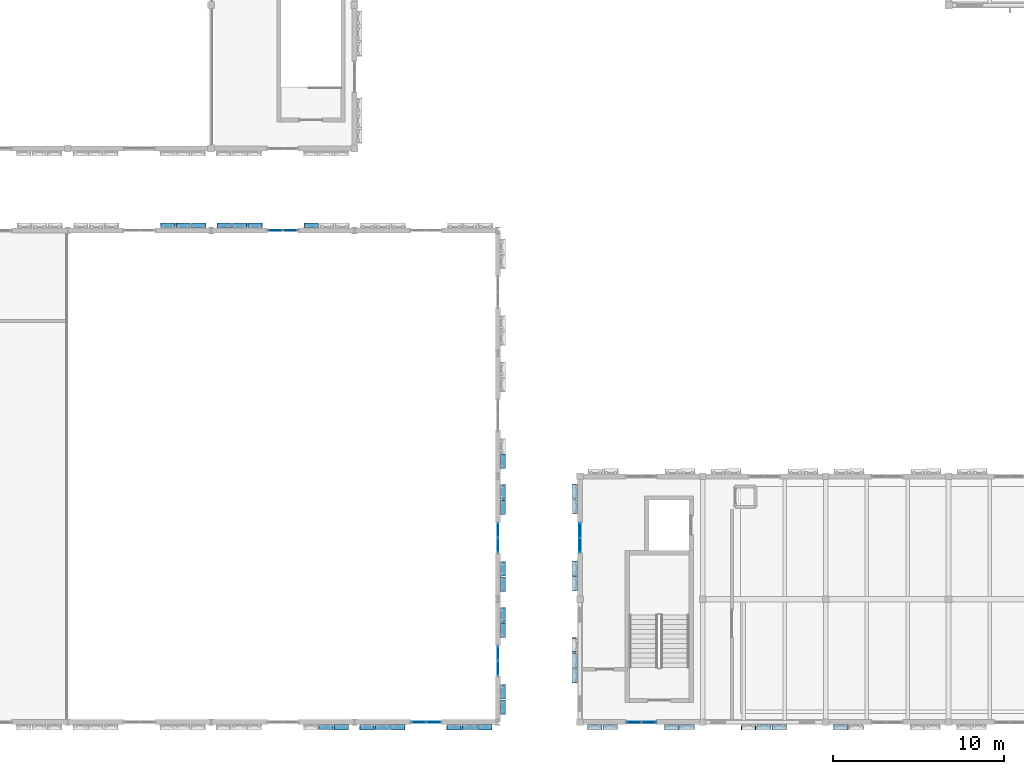
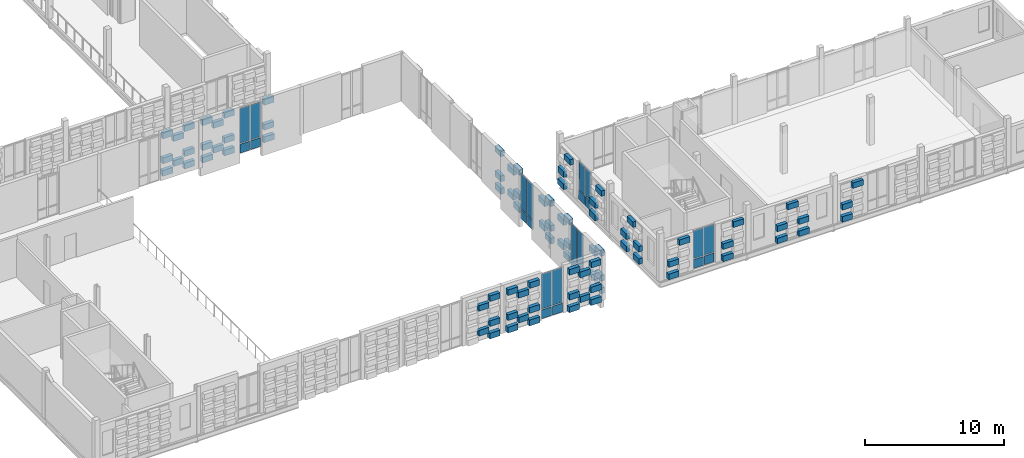
# One storey, part 32 of 81: 112 plates, 6 elements without a shape of their own.
"""IFC4 building model written with IfcOpenShell, lengths in metres."""

import ifcopenshell
import ifcopenshell.guid

model = None  # the IFC model being written
_history = None  # IfcOwnerHistory: only IFC2X3 demands one
_inside = {}  # id of a spatial element -> (the spatial element, [elements in it])
_under = {}  # id of a project, library or spatial element -> (it, [spatial elements below it])
_declared = {}  # id of a project -> (the project, [libraries it declares])
_typed = {}  # id of a type object -> (the type object, [elements of that type])
_made_of = {}  # id of a material, layer set ... -> (it, [elements and type objects made of it])


def new_model(schema):
    """Start an empty IFC model of exactly this schema.

    Asked for "IFC4X3", IfcOpenShell would pick the latest addendum, in which some entities
    have other attributes; the version numbers below select the first issue.
    IFC2X3 requires an IfcOwnerHistory on every rooted entity: one is made here for all.
    """
    global model, _history
    if schema == "IFC4X3":
        model = ifcopenshell.file(schema_version=(4, 3, 0, 0))
    else:
        model = ifcopenshell.file(schema=schema)
    _inside.clear()
    _under.clear()
    _declared.clear()
    _typed.clear()
    _made_of.clear()
    _history = None
    if model.schema == "IFC2X3":
        org = make("IfcOrganization", Name="unknown")
        user = make(
            "IfcPersonAndOrganization",
            ThePerson=make("IfcPerson", FamilyName="unknown"),
            TheOrganization=org,
        )
        app = make(
            "IfcApplication",
            ApplicationDeveloper=org,
            Version="unknown",
            ApplicationFullName="unknown",
            ApplicationIdentifier="unknown",
        )
        _history = make(
            "IfcOwnerHistory",
            OwningUser=user,
            OwningApplication=app,
            ChangeAction="ADDED",
            CreationDate=0,
        )
    return model


def make(cls, **values):
    """One entity of the class cls with the attributes given. An attribute that is None is left unset."""
    return model.create_entity(
        cls, **{name: value for name, value in values.items() if value is not None}
    )


def rooted(cls, **values):
    """An entity with a GlobalId (a new one), such as an element, a storey or a relation."""
    return make(cls, GlobalId=ifcopenshell.guid.new(), OwnerHistory=_history, **values)


def si_unit(unit_type, name, prefix=None):
    """IfcSIUnit, for example si_unit("LENGTHUNIT", "METRE", prefix="MILLI")."""
    return make("IfcSIUnit", UnitType=unit_type, Prefix=prefix, Name=name)


def assignment(units):
    """IfcUnitAssignment: the units of a project."""
    return None if units is None else make("IfcUnitAssignment", Units=units)


def point(xyz):
    """IfcCartesianPoint."""
    return None if xyz is None else make("IfcCartesianPoint", Coordinates=xyz)


def direction(xyz):
    """IfcDirection."""
    return None if xyz is None else make("IfcDirection", DirectionRatios=xyz)


def frame(location, z_axis=None, x_axis=None):
    """IfcAxis2Placement3D, a coordinate frame: its origin and axes. An axis left out is left unset."""
    return make(
        "IfcAxis2Placement3D",
        Location=point(location),
        Axis=direction(z_axis),
        RefDirection=direction(x_axis),
    )


def frame_2d(location, x_axis=None):
    """IfcAxis2Placement2D, a coordinate frame in the plane: its origin and x axis."""
    return make(
        "IfcAxis2Placement2D", Location=point(location), RefDirection=direction(x_axis)
    )


def origin():
    """The frame at (0, 0, 0) with its axes left unset."""
    return frame((0.0, 0.0, 0.0))


def origin_2d():
    """The frame at (0, 0) in the plane with its x axis left unset."""
    return frame_2d((0.0, 0.0))


def place(relative_to, where):
    """IfcLocalPlacement: puts the frame where relative to a parent placement (None: the world)."""
    return make(
        "IfcLocalPlacement", PlacementRelTo=relative_to, RelativePlacement=where
    )


def context(
    kind, dimensions, precision=None, world=None, true_north=None, identifier=None
):
    """IfcGeometricRepresentationContext, for example the 3D "Model" context."""
    return make(
        "IfcGeometricRepresentationContext",
        ContextIdentifier=identifier,
        ContextType=kind,
        CoordinateSpaceDimension=dimensions,
        Precision=precision,
        WorldCoordinateSystem=world,
        TrueNorth=true_north,
    )


def subcontext(parent, identifier, kind, view, scale=None):
    """IfcGeometricRepresentationSubContext, for example "Body" below "Model"."""
    return make(
        "IfcGeometricRepresentationSubContext",
        ContextIdentifier=identifier,
        ContextType=kind,
        ParentContext=parent,
        TargetScale=scale,
        TargetView=view,
    )


def project(units=None, contexts=None):
    """IfcProject with its units and contexts."""
    return rooted(
        "IfcProject",
        Name="project",
        RepresentationContexts=contexts,
        UnitsInContext=assignment(units),
    )


def spatial(cls, under=None, at=None, **own):
    """A site, building, storey or space (cls), placed at a placement, below another one or the project."""
    s = rooted(cls, ObjectPlacement=at, **own)
    if under is not None:
        _under.setdefault(under.id(), (under, []))[1].append(s)
    return s


def profile(cls, at=None, kind="AREA", **sizes):
    """A parametric profile (cls). Its sizes go by their IFC names, for example OverallWidth=200.0."""
    return make(cls, ProfileType=kind, Position=at, **sizes)


def rectangle(**sizes):
    """IfcRectangleProfileDef."""
    return profile("IfcRectangleProfileDef", **sizes)


def extrude(swept, where, along, depth):
    """IfcExtrudedAreaSolid: the profile swept, set in the frame where, extruded along a direction by depth."""
    return make(
        "IfcExtrudedAreaSolid",
        SweptArea=swept,
        Position=where,
        ExtrudedDirection=direction(along),
        Depth=depth,
    )


def shape(context_of_items, identifier, shape_type, items):
    """IfcShapeRepresentation: the items that make up one representation, for example the "Body"."""
    return make(
        "IfcShapeRepresentation",
        ContextOfItems=context_of_items,
        RepresentationIdentifier=identifier,
        RepresentationType=shape_type,
        Items=items,
    )


def material(Name=None, Category=None):
    """IfcMaterial."""
    return make("IfcMaterial", Name=Name, Category=Category)


def layer(
    of_material, thickness, ventilated=None, Name=None, Category=None, Priority=None
):
    """IfcMaterialLayer: one layer of a wall or slab, of a material (None: an air gap)."""
    return make(
        "IfcMaterialLayer",
        Material=of_material,
        LayerThickness=thickness,
        IsVentilated=ventilated,
        Name=Name,
        Category=Category,
        Priority=Priority,
    )


def layer_set(layers, Name=None):
    """IfcMaterialLayerSet."""
    return make("IfcMaterialLayerSet", MaterialLayers=layers, LayerSetName=Name)


def made_of(thing, what):
    """Note that an element or type object is made of a material, layer set ...; save() writes the relation."""
    if what is not None:
        _made_of.setdefault(what.id(), (what, []))[1].append(thing)
    return thing


def type_object(cls, material=None, **own):
    """A type object (cls), such as IfcWallType, which elements share."""
    return made_of(rooted(cls, **own), material)


def element(
    cls,
    number,
    at=None,
    inside=None,
    cuts=None,
    type_object=None,
    material=None,
    context=None,
    identifier="Body",
    shape_type=None,
    held_by="IfcProductDefinitionShape",
    body=None,
    shapes=None,
    **own,
):
    """One element of the class cls, such as IfcWall. Its Tag is "e" and its number.

    at: its placement. inside: the storey or other place that contains it. cuts: it is an
    opening in that element (IfcRelVoidsElement). A single representation is given by context,
    identifier, shape_type and body (its items); several are given by shapes. held_by: the class
    of the entity that holds the representations. save() writes the other relations.
    """
    e = rooted(cls, Tag="e%d" % number, ObjectPlacement=at, **own)
    if body is not None:
        shapes = [shape(context, identifier, shape_type, body)]
    if shapes is not None:
        e.Representation = make(held_by, Representations=shapes)
    if inside is not None:
        _inside.setdefault(inside.id(), (inside, []))[1].append(e)
    if cuts is not None:
        rooted(
            "IfcRelVoidsElement", RelatingBuildingElement=cuts, RelatedOpeningElement=e
        )
    if type_object is not None:
        _typed.setdefault(type_object.id(), (type_object, []))[1].append(e)
    return made_of(e, material)


def aggregate(whole, parts):
    """IfcRelAggregates: a whole, such as a stair, and the parts it consists of."""
    return rooted("IfcRelAggregates", RelatingObject=whole, RelatedObjects=parts)


def save(model, path):
    """Write the relations noted so far, then the file.

    IfcRelAggregates (storeys below a building ...), IfcRelContainedInSpatialStructure (elements
    in a storey), IfcRelDefinesByType, IfcRelAssociatesMaterial and IfcRelDeclares: one each for
    every whole, place, type object, material and project.
    """
    for whole, parts in _under.values():
        aggregate(whole, parts)
    for where, things in _inside.values():
        rooted(
            "IfcRelContainedInSpatialStructure",
            RelatedElements=things,
            RelatingStructure=where,
        )
    for kind, things in _typed.values():
        rooted("IfcRelDefinesByType", RelatedObjects=things, RelatingType=kind)
    for what, things in _made_of.values():
        rooted("IfcRelAssociatesMaterial", RelatedObjects=things, RelatingMaterial=what)
    for by, libraries in _declared.values():
        rooted("IfcRelDeclares", RelatingContext=by, RelatedDefinitions=libraries)
    model.write(path)


model = new_model("IFC4")

# Units and contexts
model_context = context("Model", 3, precision=1e-05, world=origin(), true_north=direction((0.0, 1.0)))
body_context = subcontext(model_context, "Body", "Model", "MODEL_VIEW")
ifc_project = project(units=[si_unit("LENGTHUNIT", "METRE"), si_unit("AREAUNIT", "SQUARE_METRE"), si_unit("VOLUMEUNIT", "CUBIC_METRE"), si_unit("PLANEANGLEUNIT", "RADIAN"), si_unit("MASSUNIT", "GRAM", prefix="KILO")], contexts=[model_context])

# Site, building, storey
site_placement = place(None, origin())
site = spatial("IfcSite", under=ifc_project, at=site_placement, CompositionType="ELEMENT")
building_placement = place(site_placement, origin())
building = spatial("IfcBuilding", under=site, at=building_placement, Name="Kahlenmark Community Centre", CompositionType="ELEMENT")
storey_placement = place(building_placement, frame((0.0, 0.0, 9.60009765625)))
storey = spatial("IfcBuildingStorey", under=building, at=storey_placement, Name="L02", CompositionType="ELEMENT", Elevation=9.60009765625)

# Curtain wall, plates
ifc_material_1 = material(Name="Anodised aluminium unitised curtain wall", Category="aluminium")
curtain_wall_type_1 = type_object("IfcCurtainWallType", Name="CWT-UNIT-180X337", PredefinedType="USERDEFINED", material=ifc_material_1)
curtain_wall_1_placement = place(storey_placement, origin())
curtain_wall_1 = element("IfcCurtainWall", 1, at=curtain_wall_1_placement, inside=storey, type_object=curtain_wall_type_1, Name="Unitised curtain wall CW-080", ObjectType="UNITISED CURTAIN WALL", PredefinedType="USERDEFINED")
ifc_material_2 = material(Name="Triple low-e solar-control glass unit", Category="glass")
ifc_layer_1 = layer(ifc_material_2, 0.0439453125)
ifc_layer_set_1 = layer_set([ifc_layer_1], Name="Triple low-e solar-control glass unit")
plate_type_1 = type_object("IfcPlateType", Name="PLT-CW-GLZ-820X2440", PredefinedType="CURTAIN_PANEL", material=ifc_layer_set_1)
plate_1_placement = place(storey_placement, frame((53.949951171875, 8.800048828125, 0.889892578125), z_axis=(0.0, 0.0, 1.0), x_axis=(1.0, 0.0, 0.0)))
plate_1 = element("IfcPlate", 2, at=plate_1_placement, type_object=plate_type_1, Name="CW-080 glazed panel 1", PredefinedType="CURTAIN_PANEL", context=body_context, shape_type="SweptSolid", body=[
    extrude(rectangle(XDim=0.820068359375, YDim=0.0439453125, at=origin_2d()), origin(), (0.0, 0.0, 1.0), 2.43994140625),
])
plate_2_placement = place(storey_placement, frame((54.85009765625, 8.800048828125, 0.889892578125), z_axis=(0.0, 0.0, 1.0), x_axis=(1.0, 0.0, 0.0)))
plate_2 = element("IfcPlate", 3, at=plate_2_placement, type_object=plate_type_1, Name="CW-080 glazed panel 2", PredefinedType="CURTAIN_PANEL", context=body_context, shape_type="SweptSolid", body=[
    extrude(rectangle(XDim=0.820068359375, YDim=0.0439453125, at=origin_2d()), origin(), (0.0, 0.0, 1.0), 2.43994140625),
])

curtain_wall_2_placement = place(storey_placement, origin())
curtain_wall_2 = element("IfcCurtainWall", 4, at=curtain_wall_2_placement, inside=storey, type_object=curtain_wall_type_1, Name="Unitised curtain wall CW-087", ObjectType="UNITISED CURTAIN WALL", PredefinedType="USERDEFINED")
plate_3_placement = place(storey_placement, frame((50.800048828125, 20.050048828125, 0.889892578125), z_axis=(0.0, 0.0, 1.0), x_axis=(0.0, -1.0, 0.0)))
plate_3 = element("IfcPlate", 5, at=plate_3_placement, type_object=plate_type_1, Name="CW-087 glazed panel 1", PredefinedType="CURTAIN_PANEL", context=body_context, shape_type="SweptSolid", body=[
    extrude(rectangle(XDim=0.820068359375, YDim=0.0439453125, at=origin_2d()), origin(), (0.0, 0.0, 1.0), 2.43994140625),
])
plate_4_placement = place(storey_placement, frame((50.800048828125, 19.14990234375, 0.889892578125), z_axis=(0.0, 0.0, 1.0), x_axis=(0.0, -1.0, 0.0)))
plate_4 = element("IfcPlate", 6, at=plate_4_placement, type_object=plate_type_1, Name="CW-087 glazed panel 2", PredefinedType="CURTAIN_PANEL", context=body_context, shape_type="SweptSolid", body=[
    extrude(rectangle(XDim=0.820068359375, YDim=0.0439453125, at=origin_2d()), origin(), (0.0, 0.0, 1.0), 2.43994140625),
])

curtain_wall_type_2 = type_object("IfcCurtainWallType", Name="CWT-UNIT-180X398", PredefinedType="USERDEFINED", material=ifc_material_1)
curtain_wall_3_placement = place(storey_placement, origin())
curtain_wall_3 = element("IfcCurtainWall", 7, at=curtain_wall_3_placement, inside=storey, type_object=curtain_wall_type_2, Name="Unitised curtain wall CW-061", ObjectType="UNITISED CURTAIN WALL", PredefinedType="USERDEFINED")
ifc_layer_2 = layer(ifc_material_2, 0.0439453125)
ifc_layer_set_2 = layer_set([ifc_layer_2], Name="Triple low-e solar-control glass unit")
plate_type_2 = type_object("IfcPlateType", Name="PLT-CW-GLZ-820X3050", PredefinedType="CURTAIN_PANEL", material=ifc_layer_set_2)
plate_5_placement = place(storey_placement, frame((41.35009765625, 8.800048828125, 0.8896484375), z_axis=(0.0, 0.0, 1.0), x_axis=(1.0, 0.0, 0.0)))
plate_5 = element("IfcPlate", 8, at=plate_5_placement, type_object=plate_type_2, Name="CW-061 glazed panel 1", PredefinedType="CURTAIN_PANEL", context=body_context, shape_type="SweptSolid", body=[
    extrude(rectangle(XDim=0.820068359375, YDim=0.0439453125, at=origin_2d()), origin(), (0.0, 0.0, 1.0), 3.050048828125),
])
plate_6_placement = place(storey_placement, frame((42.25, 8.800048828125, 0.8896484375), z_axis=(0.0, 0.0, 1.0), x_axis=(1.0, 0.0, 0.0)))
plate_6 = element("IfcPlate", 9, at=plate_6_placement, type_object=plate_type_2, Name="CW-061 glazed panel 2", PredefinedType="CURTAIN_PANEL", context=body_context, shape_type="SweptSolid", body=[
    extrude(rectangle(XDim=0.820068359375, YDim=0.0439453125, at=origin_2d()), origin(), (0.0, 0.0, 1.0), 3.050048828125),
])

curtain_wall_4_placement = place(storey_placement, origin())
curtain_wall_4 = element("IfcCurtainWall", 10, at=curtain_wall_4_placement, inside=storey, type_object=curtain_wall_type_2, Name="Unitised curtain wall CW-064", ObjectType="UNITISED CURTAIN WALL", PredefinedType="USERDEFINED")
plate_7_placement = place(storey_placement, frame((33.85009765625, 37.60009765625, 0.8896484375), z_axis=(0.0, 0.0, 1.0), x_axis=(-1.0, 0.0, 0.0)))
plate_7 = element("IfcPlate", 11, at=plate_7_placement, type_object=plate_type_2, Name="CW-064 glazed panel 1", PredefinedType="CURTAIN_PANEL", context=body_context, shape_type="SweptSolid", body=[
    extrude(rectangle(XDim=0.820068359375, YDim=0.0439453125, at=origin_2d()), origin(), (0.0, 0.0, 1.0), 3.050048828125),
])
plate_8_placement = place(storey_placement, frame((32.949951171875, 37.60009765625, 0.8896484375), z_axis=(0.0, 0.0, 1.0), x_axis=(-1.0, 0.0, 0.0)))
plate_8 = element("IfcPlate", 12, at=plate_8_placement, type_object=plate_type_2, Name="CW-064 glazed panel 2", PredefinedType="CURTAIN_PANEL", context=body_context, shape_type="SweptSolid", body=[
    extrude(rectangle(XDim=0.820068359375, YDim=0.0439453125, at=origin_2d()), origin(), (0.0, 0.0, 1.0), 3.050048828125),
])

curtain_wall_5_placement = place(storey_placement, origin())
curtain_wall_5 = element("IfcCurtainWall", 13, at=curtain_wall_5_placement, inside=storey, type_object=curtain_wall_type_2, Name="Unitised curtain wall CW-066", ObjectType="UNITISED CURTAIN WALL", PredefinedType="USERDEFINED")
plate_9_placement = place(storey_placement, frame((46.0, 11.949951171875, 0.8896484375), z_axis=(0.0, 0.0, 1.0), x_axis=(0.0, 1.0, 0.0)))
plate_9 = element("IfcPlate", 14, at=plate_9_placement, type_object=plate_type_2, Name="CW-066 glazed panel 1", PredefinedType="CURTAIN_PANEL", context=body_context, shape_type="SweptSolid", body=[
    extrude(rectangle(XDim=0.820068359375, YDim=0.0439453125, at=origin_2d()), origin(), (0.0, 0.0, 1.0), 3.050048828125),
])
plate_10_placement = place(storey_placement, frame((46.0, 12.85009765625, 0.8896484375), z_axis=(0.0, 0.0, 1.0), x_axis=(0.0, 1.0, 0.0)))
plate_10 = element("IfcPlate", 15, at=plate_10_placement, type_object=plate_type_2, Name="CW-066 glazed panel 2", PredefinedType="CURTAIN_PANEL", context=body_context, shape_type="SweptSolid", body=[
    extrude(rectangle(XDim=0.820068359375, YDim=0.0439453125, at=origin_2d()), origin(), (0.0, 0.0, 1.0), 3.050048828125),
])

curtain_wall_6_placement = place(storey_placement, origin())
curtain_wall_6 = element("IfcCurtainWall", 16, at=curtain_wall_6_placement, inside=storey, type_object=curtain_wall_type_2, Name="Unitised curtain wall CW-067", ObjectType="UNITISED CURTAIN WALL", PredefinedType="USERDEFINED")
plate_11_placement = place(storey_placement, frame((46.0, 19.14990234375, 0.8896484375), z_axis=(0.0, 0.0, 1.0), x_axis=(0.0, 1.0, 0.0)))
plate_11 = element("IfcPlate", 17, at=plate_11_placement, type_object=plate_type_2, Name="CW-067 glazed panel 1", PredefinedType="CURTAIN_PANEL", context=body_context, shape_type="SweptSolid", body=[
    extrude(rectangle(XDim=0.820068359375, YDim=0.0439453125, at=origin_2d()), origin(), (0.0, 0.0, 1.0), 3.050048828125),
])
plate_12_placement = place(storey_placement, frame((46.0, 20.050048828125, 0.8896484375), z_axis=(0.0, 0.0, 1.0), x_axis=(0.0, 1.0, 0.0)))
plate_12 = element("IfcPlate", 18, at=plate_12_placement, type_object=plate_type_2, Name="CW-067 glazed panel 2", PredefinedType="CURTAIN_PANEL", context=body_context, shape_type="SweptSolid", body=[
    extrude(rectangle(XDim=0.820068359375, YDim=0.0439453125, at=origin_2d()), origin(), (0.0, 0.0, 1.0), 3.050048828125),
])

# Plate
ifc_material_3 = material(Name="Warm terracotta insulated spandrel cassette", Category="masonry")
ifc_layer_3 = layer(ifc_material_3, 0.06005859375)
ifc_layer_set_3 = layer_set([ifc_layer_3], Name="Warm terracotta insulated spandrel cassette")
plate_type_3 = type_object("IfcPlateType", Name="PLT-CW-SPD-820X770", PredefinedType="CURTAIN_PANEL", material=ifc_layer_set_3)
plate_13_placement = place(storey_placement, frame((41.35009765625, 8.800048828125, 0.039794921875), z_axis=(0.0, 0.0, 1.0), x_axis=(1.0, 0.0, 0.0)))
plate_13 = element("IfcPlate", 19, at=plate_13_placement, type_object=plate_type_3, Name="CW-061 spandrel 1", PredefinedType="CURTAIN_PANEL", context=body_context, shape_type="SweptSolid", body=[
    extrude(rectangle(XDim=0.820068359375, YDim=0.06005859375, at=origin_2d()), origin(), (0.0, 0.0, 1.0), 0.77001953125),
])

plate_14_placement = place(storey_placement, frame((42.25, 8.800048828125, 0.039794921875), z_axis=(0.0, 0.0, 1.0), x_axis=(1.0, 0.0, 0.0)))
plate_14 = element("IfcPlate", 20, at=plate_14_placement, type_object=plate_type_3, Name="CW-061 spandrel 2", PredefinedType="CURTAIN_PANEL", context=body_context, shape_type="SweptSolid", body=[
    extrude(rectangle(XDim=0.820068359375, YDim=0.06005859375, at=origin_2d()), origin(), (0.0, 0.0, 1.0), 0.77001953125),
])

aggregate(curtain_wall_3, [plate_13, plate_5, plate_14, plate_6])

plate_15_placement = place(storey_placement, frame((33.85009765625, 37.60009765625, 0.039794921875), z_axis=(0.0, 0.0, 1.0), x_axis=(-1.0, 0.0, 0.0)))
plate_15 = element("IfcPlate", 21, at=plate_15_placement, type_object=plate_type_3, Name="CW-064 spandrel 1", PredefinedType="CURTAIN_PANEL", context=body_context, shape_type="SweptSolid", body=[
    extrude(rectangle(XDim=0.820068359375, YDim=0.06005859375, at=origin_2d()), origin(), (0.0, 0.0, 1.0), 0.77001953125),
])

plate_16_placement = place(storey_placement, frame((32.949951171875, 37.60009765625, 0.039794921875), z_axis=(0.0, 0.0, 1.0), x_axis=(-1.0, 0.0, 0.0)))
plate_16 = element("IfcPlate", 22, at=plate_16_placement, type_object=plate_type_3, Name="CW-064 spandrel 2", PredefinedType="CURTAIN_PANEL", context=body_context, shape_type="SweptSolid", body=[
    extrude(rectangle(XDim=0.820068359375, YDim=0.06005859375, at=origin_2d()), origin(), (0.0, 0.0, 1.0), 0.77001953125),
])

aggregate(curtain_wall_4, [plate_15, plate_7, plate_16, plate_8])

plate_17_placement = place(storey_placement, frame((46.0, 11.949951171875, 0.039794921875), z_axis=(0.0, 0.0, 1.0), x_axis=(0.0, 1.0, 0.0)))
plate_17 = element("IfcPlate", 23, at=plate_17_placement, type_object=plate_type_3, Name="CW-066 spandrel 1", PredefinedType="CURTAIN_PANEL", context=body_context, shape_type="SweptSolid", body=[
    extrude(rectangle(XDim=0.820068359375, YDim=0.06005859375, at=origin_2d()), origin(), (0.0, 0.0, 1.0), 0.77001953125),
])

plate_18_placement = place(storey_placement, frame((46.0, 12.85009765625, 0.039794921875), z_axis=(0.0, 0.0, 1.0), x_axis=(0.0, 1.0, 0.0)))
plate_18 = element("IfcPlate", 24, at=plate_18_placement, type_object=plate_type_3, Name="CW-066 spandrel 2", PredefinedType="CURTAIN_PANEL", context=body_context, shape_type="SweptSolid", body=[
    extrude(rectangle(XDim=0.820068359375, YDim=0.06005859375, at=origin_2d()), origin(), (0.0, 0.0, 1.0), 0.77001953125),
])

aggregate(curtain_wall_5, [plate_17, plate_9, plate_18, plate_10])

plate_19_placement = place(storey_placement, frame((46.0, 19.14990234375, 0.039794921875), z_axis=(0.0, 0.0, 1.0), x_axis=(0.0, 1.0, 0.0)))
plate_19 = element("IfcPlate", 25, at=plate_19_placement, type_object=plate_type_3, Name="CW-067 spandrel 1", PredefinedType="CURTAIN_PANEL", context=body_context, shape_type="SweptSolid", body=[
    extrude(rectangle(XDim=0.820068359375, YDim=0.06005859375, at=origin_2d()), origin(), (0.0, 0.0, 1.0), 0.77001953125),
])

plate_20_placement = place(storey_placement, frame((46.0, 20.050048828125, 0.039794921875), z_axis=(0.0, 0.0, 1.0), x_axis=(0.0, 1.0, 0.0)))
plate_20 = element("IfcPlate", 26, at=plate_20_placement, type_object=plate_type_3, Name="CW-067 spandrel 2", PredefinedType="CURTAIN_PANEL", context=body_context, shape_type="SweptSolid", body=[
    extrude(rectangle(XDim=0.820068359375, YDim=0.06005859375, at=origin_2d()), origin(), (0.0, 0.0, 1.0), 0.77001953125),
])

aggregate(curtain_wall_6, [plate_19, plate_11, plate_20, plate_12])

plate_21_placement = place(storey_placement, frame((53.949951171875, 8.800048828125, 0.039794921875), z_axis=(0.0, 0.0, 1.0), x_axis=(1.0, 0.0, 0.0)))
plate_21 = element("IfcPlate", 27, at=plate_21_placement, type_object=plate_type_3, Name="CW-080 spandrel 1", PredefinedType="CURTAIN_PANEL", context=body_context, shape_type="SweptSolid", body=[
    extrude(rectangle(XDim=0.820068359375, YDim=0.06005859375, at=origin_2d()), origin(), (0.0, 0.0, 1.0), 0.77001953125),
])

plate_22_placement = place(storey_placement, frame((54.85009765625, 8.800048828125, 0.039794921875), z_axis=(0.0, 0.0, 1.0), x_axis=(1.0, 0.0, 0.0)))
plate_22 = element("IfcPlate", 28, at=plate_22_placement, type_object=plate_type_3, Name="CW-080 spandrel 2", PredefinedType="CURTAIN_PANEL", context=body_context, shape_type="SweptSolid", body=[
    extrude(rectangle(XDim=0.820068359375, YDim=0.06005859375, at=origin_2d()), origin(), (0.0, 0.0, 1.0), 0.77001953125),
])

aggregate(curtain_wall_1, [plate_21, plate_1, plate_22, plate_2])

plate_23_placement = place(storey_placement, frame((50.800048828125, 20.050048828125, 0.039794921875), z_axis=(0.0, 0.0, 1.0), x_axis=(0.0, -1.0, 0.0)))
plate_23 = element("IfcPlate", 29, at=plate_23_placement, type_object=plate_type_3, Name="CW-087 spandrel 1", PredefinedType="CURTAIN_PANEL", context=body_context, shape_type="SweptSolid", body=[
    extrude(rectangle(XDim=0.820068359375, YDim=0.06005859375, at=origin_2d()), origin(), (0.0, 0.0, 1.0), 0.77001953125),
])

plate_24_placement = place(storey_placement, frame((50.800048828125, 19.14990234375, 0.039794921875), z_axis=(0.0, 0.0, 1.0), x_axis=(0.0, -1.0, 0.0)))
plate_24 = element("IfcPlate", 30, at=plate_24_placement, type_object=plate_type_3, Name="CW-087 spandrel 2", PredefinedType="CURTAIN_PANEL", context=body_context, shape_type="SweptSolid", body=[
    extrude(rectangle(XDim=0.820068359375, YDim=0.06005859375, at=origin_2d()), origin(), (0.0, 0.0, 1.0), 0.77001953125),
])

aggregate(curtain_wall_2, [plate_23, plate_3, plate_24, plate_4])

# Plates
ifc_material_4 = material(Name="Extruded glazed terracotta weave cassette", Category="masonry")
ifc_layer_4 = layer(ifc_material_4, 0.300048828125)
ifc_layer_set_4 = layer_set([ifc_layer_4], Name="Extruded glazed terracotta weave cassette")
plate_type_4 = type_object("IfcPlateType", Name="PLT-TC-TC-R34-820X300X506", PredefinedType="SHEET", material=ifc_layer_set_4)
for number, where, z_axis, x_axis, name in (
    (31, (36.830078125, 8.5, 3.3759765625), (0.0, 0.0, 1.0), (1.0, 0.0, 0.0), "Basketweave terracotta cassette 1923"),
    (32, (38.330078125, 8.5, 3.3759765625), (0.0, 0.0, 1.0), (1.0, 0.0, 0.0), "Basketweave terracotta cassette 1930"),
    (33, (40.1298828125, 8.5, 3.3759765625), (0.0, 0.0, 1.0), (1.0, 0.0, 0.0), "Basketweave terracotta cassette 1944"),
    (34, (43.429931640625, 8.5, 3.3759765625), (0.0, 0.0, 1.0), (1.0, 0.0, 0.0), "Basketweave terracotta cassette 1951"),
    (35, (45.22998046875, 8.5, 3.3759765625), (0.0, 0.0, 1.0), (1.0, 0.0, 0.0), "Basketweave terracotta cassette 1965"),
    (36, (28.469970703125, 37.89990234375, 3.3759765625), (0.0, 0.0, 1.0), (-1.0, 0.0, 0.0), "Basketweave terracotta cassette 2049"),
    (37, (26.669921875, 37.89990234375, 3.3759765625), (0.0, 0.0, 1.0), (-1.0, 0.0, 0.0), "Basketweave terracotta cassette 2063"),
    (38, (35.070068359375, 37.89990234375, 3.3759765625), (0.0, 0.0, 1.0), (-1.0, 0.0, 0.0), "Basketweave terracotta cassette 2105"),
    (39, (31.77001953125, 37.89990234375, 3.3759765625), (0.0, 0.0, 1.0), (-1.0, 0.0, 0.0), "Basketweave terracotta cassette 2112"),
    (40, (29.969970703125, 37.89990234375, 3.3759765625), (0.0, 0.0, 1.0), (-1.0, 0.0, 0.0), "Basketweave terracotta cassette 2126"),
    (41, (46.300048828125, 9.679931640625, 3.3759765625), (0.0, 0.0, 1.0), (0.0, 1.0, 0.0), "Basketweave terracotta cassette 2211"),
    (42, (46.300048828125, 14.179931640625, 3.3759765625), (0.0, 0.0, 1.0), (0.0, 1.0, 0.0), "Basketweave terracotta cassette 2225"),
    (43, (46.300048828125, 16.8798828125, 3.3759765625), (0.0, 0.0, 1.0), (0.0, 1.0, 0.0), "Basketweave terracotta cassette 2239"),
    (44, (46.300048828125, 21.3798828125, 3.3759765625), (0.0, 0.0, 1.0), (0.0, 1.0, 0.0), "Basketweave terracotta cassette 2253"),
    (45, (46.300048828125, 24.080078125, 3.3759765625), (0.0, 0.0, 1.0), (0.0, 1.0, 0.0), "Basketweave terracotta cassette 2267"),
):
    element("IfcPlate", number, at=place(storey_placement, frame(where, z_axis=z_axis, x_axis=x_axis)), inside=storey, type_object=plate_type_4, Name=name, PredefinedType="SHEET", context=body_context, shape_type="SweptSolid", body=[
        extrude(rectangle(XDim=0.820068359375, YDim=0.300048828125, at=origin_2d()), origin(), (0.0, 0.0, 1.0), 0.506103515625),
    ])
ifc_layer_5 = layer(ifc_material_4, 0.300048828125)
ifc_layer_set_5 = layer_set([ifc_layer_5], Name="Extruded glazed terracotta weave cassette")
plate_type_5 = type_object("IfcPlateType", Name="PLT-TC-TC-R34-840X300X488", PredefinedType="SHEET", material=ifc_layer_set_5)
for number, where, z_axis, x_axis, name in (
    (46, (60.679931640625, 8.5, 1.15576171875), (0.0, 0.0, 1.0), (1.0, 0.0, 0.0), "Basketweave terracotta cassette 2787"),
    (47, (62.47998046875, 8.5, 1.15576171875), (0.0, 0.0, 1.0), (1.0, 0.0, 0.0), "Basketweave terracotta cassette 2799"),
    (48, (66.080078125, 8.5, 1.15576171875), (0.0, 0.0, 1.0), (1.0, 0.0, 0.0), "Basketweave terracotta cassette 2805"),
):
    element("IfcPlate", number, at=place(storey_placement, frame(where, z_axis=z_axis, x_axis=x_axis)), inside=storey, type_object=plate_type_5, Name=name, PredefinedType="SHEET", context=body_context, shape_type="SweptSolid", body=[
        extrude(rectangle(XDim=0.840087890625, YDim=0.300048828125, at=origin_2d()), origin(), (0.0, 0.0, 1.0), 0.488037109375),
    ])
ifc_layer_6 = layer(ifc_material_4, 0.300048828125)
ifc_layer_set_6 = layer_set([ifc_layer_6], Name="Extruded glazed terracotta weave cassette")
plate_type_6 = type_object("IfcPlateType", Name="PLT-TC-TC-R34-840X300X495", PredefinedType="SHEET", material=ifc_layer_set_6)
for number, where, z_axis, x_axis, name in (
    (49, (51.679931640625, 8.5, 1.169921875), (0.0, 0.0, 1.0), (1.0, 0.0, 0.0), "Basketweave terracotta cassette 2763"),
    (50, (56.179931640625, 8.5, 1.169921875), (0.0, 0.0, 1.0), (1.0, 0.0, 0.0), "Basketweave terracotta cassette 2775"),
    (51, (50.5, 13.320068359375, 1.169921875), (0.0, 0.0, 1.0), (0.0, -1.0, 0.0), "Basketweave terracotta cassette 2985"),
    (52, (50.5, 11.52001953125, 1.169921875), (0.0, 0.0, 1.0), (0.0, -1.0, 0.0), "Basketweave terracotta cassette 2997"),
    (53, (50.5, 22.320068359375, 1.169921875), (0.0, 0.0, 1.0), (0.0, -1.0, 0.0), "Basketweave terracotta cassette 3003"),
    (54, (50.5, 17.820068359375, 1.169921875), (0.0, 0.0, 1.0), (0.0, -1.0, 0.0), "Basketweave terracotta cassette 3015"),
):
    element("IfcPlate", number, at=place(storey_placement, frame(where, z_axis=z_axis, x_axis=x_axis)), inside=storey, type_object=plate_type_6, Name=name, PredefinedType="SHEET", context=body_context, shape_type="SweptSolid", body=[
        extrude(rectangle(XDim=0.840087890625, YDim=0.300048828125, at=origin_2d()), origin(), (0.0, 0.0, 1.0), 0.4951171875),
    ])
ifc_layer_7 = layer(ifc_material_4, 0.300048828125)
ifc_layer_set_7 = layer_set([ifc_layer_7], Name="Extruded glazed terracotta weave cassette")
plate_type_7 = type_object("IfcPlateType", Name="PLT-TC-TC-R34-840X300X506", PredefinedType="SHEET", material=ifc_layer_set_7)
for number, where, z_axis, x_axis, name in (
    (55, (36.830078125, 8.5, 1.19189453125), (0.0, 0.0, 1.0), (1.0, 0.0, 0.0), "Basketweave terracotta cassette 1919"),
    (56, (38.330078125, 8.5, 1.19189453125), (0.0, 0.0, 1.0), (1.0, 0.0, 0.0), "Basketweave terracotta cassette 1926"),
    (57, (40.1298828125, 8.5, 1.19189453125), (0.0, 0.0, 1.0), (1.0, 0.0, 0.0), "Basketweave terracotta cassette 1940"),
    (58, (43.429931640625, 8.5, 1.19189453125), (0.0, 0.0, 1.0), (1.0, 0.0, 0.0), "Basketweave terracotta cassette 1947"),
    (59, (45.22998046875, 8.5, 1.19189453125), (0.0, 0.0, 1.0), (1.0, 0.0, 0.0), "Basketweave terracotta cassette 1961"),
    (60, (28.469970703125, 37.89990234375, 1.19189453125), (0.0, 0.0, 1.0), (-1.0, 0.0, 0.0), "Basketweave terracotta cassette 2045"),
    (61, (26.669921875, 37.89990234375, 1.19189453125), (0.0, 0.0, 1.0), (-1.0, 0.0, 0.0), "Basketweave terracotta cassette 2059"),
    (62, (35.070068359375, 37.89990234375, 1.19189453125), (0.0, 0.0, 1.0), (-1.0, 0.0, 0.0), "Basketweave terracotta cassette 2101"),
    (63, (31.77001953125, 37.89990234375, 1.19189453125), (0.0, 0.0, 1.0), (-1.0, 0.0, 0.0), "Basketweave terracotta cassette 2108"),
    (64, (29.969970703125, 37.89990234375, 1.19189453125), (0.0, 0.0, 1.0), (-1.0, 0.0, 0.0), "Basketweave terracotta cassette 2122"),
    (65, (46.300048828125, 9.679931640625, 1.19189453125), (0.0, 0.0, 1.0), (0.0, 1.0, 0.0), "Basketweave terracotta cassette 2207"),
    (66, (46.300048828125, 14.179931640625, 1.19189453125), (0.0, 0.0, 1.0), (0.0, 1.0, 0.0), "Basketweave terracotta cassette 2221"),
    (67, (46.300048828125, 16.8798828125, 1.19189453125), (0.0, 0.0, 1.0), (0.0, 1.0, 0.0), "Basketweave terracotta cassette 2235"),
    (68, (46.300048828125, 21.3798828125, 1.19189453125), (0.0, 0.0, 1.0), (0.0, 1.0, 0.0), "Basketweave terracotta cassette 2249"),
    (69, (46.300048828125, 24.080078125, 1.19189453125), (0.0, 0.0, 1.0), (0.0, 1.0, 0.0), "Basketweave terracotta cassette 2263"),
):
    element("IfcPlate", number, at=place(storey_placement, frame(where, z_axis=z_axis, x_axis=x_axis)), inside=storey, type_object=plate_type_7, Name=name, PredefinedType="SHEET", context=body_context, shape_type="SweptSolid", body=[
        extrude(rectangle(XDim=0.840087890625, YDim=0.300048828125, at=origin_2d()), origin(), (0.0, 0.0, 1.0), 0.506103515625),
    ])
ifc_layer_8 = layer(ifc_material_4, 0.300048828125)
ifc_layer_set_8 = layer_set([ifc_layer_8], Name="Extruded glazed terracotta weave cassette")
plate_type_8 = type_object("IfcPlateType", Name="PLT-TC-TC-R34-860X300X488", PredefinedType="SHEET", material=ifc_layer_set_8)
for number, where, z_axis, x_axis, name in (
    (70, (60.679931640625, 8.5, 0.10009765625), (0.0, 0.0, 1.0), (1.0, 0.0, 0.0), "Basketweave terracotta cassette 2785"),
    (71, (62.47998046875, 8.5, 0.10009765625), (0.0, 0.0, 1.0), (1.0, 0.0, 0.0), "Basketweave terracotta cassette 2797"),
    (72, (66.080078125, 8.5, 0.10009765625), (0.0, 0.0, 1.0), (1.0, 0.0, 0.0), "Basketweave terracotta cassette 2803"),
):
    element("IfcPlate", number, at=place(storey_placement, frame(where, z_axis=z_axis, x_axis=x_axis)), inside=storey, type_object=plate_type_8, Name=name, PredefinedType="SHEET", context=body_context, shape_type="SweptSolid", body=[
        extrude(rectangle(XDim=0.860107421875, YDim=0.300048828125, at=origin_2d()), origin(), (0.0, 0.0, 1.0), 0.488037109375),
    ])
ifc_layer_9 = layer(ifc_material_4, 0.300048828125)
ifc_layer_set_9 = layer_set([ifc_layer_9], Name="Extruded glazed terracotta weave cassette")
plate_type_9 = type_object("IfcPlateType", Name="PLT-TC-TC-R34-860X300X495", PredefinedType="SHEET", material=ifc_layer_set_9)
for number, where, z_axis, x_axis, name in (
    (73, (51.679931640625, 8.5, 0.099853515625), (0.0, 0.0, 1.0), (1.0, 0.0, 0.0), "Basketweave terracotta cassette 2761"),
    (74, (56.179931640625, 8.5, 0.099853515625), (0.0, 0.0, 1.0), (1.0, 0.0, 0.0), "Basketweave terracotta cassette 2773"),
    (75, (50.5, 13.320068359375, 0.099853515625), (0.0, 0.0, 1.0), (0.0, -1.0, 0.0), "Basketweave terracotta cassette 2983"),
    (76, (50.5, 11.52001953125, 0.099853515625), (0.0, 0.0, 1.0), (0.0, -1.0, 0.0), "Basketweave terracotta cassette 2995"),
    (77, (50.5, 22.320068359375, 0.099853515625), (0.0, 0.0, 1.0), (0.0, -1.0, 0.0), "Basketweave terracotta cassette 3001"),
    (78, (50.5, 17.820068359375, 0.099853515625), (0.0, 0.0, 1.0), (0.0, -1.0, 0.0), "Basketweave terracotta cassette 3013"),
):
    element("IfcPlate", number, at=place(storey_placement, frame(where, z_axis=z_axis, x_axis=x_axis)), inside=storey, type_object=plate_type_9, Name=name, PredefinedType="SHEET", context=body_context, shape_type="SweptSolid", body=[
        extrude(rectangle(XDim=0.860107421875, YDim=0.300048828125, at=origin_2d()), origin(), (0.0, 0.0, 1.0), 0.4951171875),
    ])
ifc_layer_10 = layer(ifc_material_4, 0.300048828125)
ifc_layer_set_10 = layer_set([ifc_layer_10], Name="Extruded glazed terracotta weave cassette")
plate_type_10 = type_object("IfcPlateType", Name="PLT-TC-TC-R34-860X300X506", PredefinedType="SHEET", material=ifc_layer_set_10)
for number, where, z_axis, x_axis, name in (
    (79, (36.830078125, 8.5, 0.099609375), (0.0, 0.0, 1.0), (1.0, 0.0, 0.0), "Basketweave terracotta cassette 1917"),
    (80, (38.330078125, 8.5, 0.099609375), (0.0, 0.0, 1.0), (1.0, 0.0, 0.0), "Basketweave terracotta cassette 1924"),
    (81, (40.1298828125, 8.5, 0.099609375), (0.0, 0.0, 1.0), (1.0, 0.0, 0.0), "Basketweave terracotta cassette 1938"),
    (82, (43.429931640625, 8.5, 0.099609375), (0.0, 0.0, 1.0), (1.0, 0.0, 0.0), "Basketweave terracotta cassette 1945"),
    (83, (45.22998046875, 8.5, 0.099609375), (0.0, 0.0, 1.0), (1.0, 0.0, 0.0), "Basketweave terracotta cassette 1959"),
    (84, (28.469970703125, 37.89990234375, 0.099609375), (0.0, 0.0, 1.0), (-1.0, 0.0, 0.0), "Basketweave terracotta cassette 2043"),
    (85, (26.669921875, 37.89990234375, 0.099609375), (0.0, 0.0, 1.0), (-1.0, 0.0, 0.0), "Basketweave terracotta cassette 2057"),
    (86, (35.070068359375, 37.89990234375, 0.099609375), (0.0, 0.0, 1.0), (-1.0, 0.0, 0.0), "Basketweave terracotta cassette 2099"),
    (87, (31.77001953125, 37.89990234375, 0.099609375), (0.0, 0.0, 1.0), (-1.0, 0.0, 0.0), "Basketweave terracotta cassette 2106"),
    (88, (29.969970703125, 37.89990234375, 0.099609375), (0.0, 0.0, 1.0), (-1.0, 0.0, 0.0), "Basketweave terracotta cassette 2120"),
    (89, (46.300048828125, 9.679931640625, 0.099609375), (0.0, 0.0, 1.0), (0.0, 1.0, 0.0), "Basketweave terracotta cassette 2205"),
    (90, (46.300048828125, 14.179931640625, 0.099609375), (0.0, 0.0, 1.0), (0.0, 1.0, 0.0), "Basketweave terracotta cassette 2219"),
    (91, (46.300048828125, 16.8798828125, 0.099609375), (0.0, 0.0, 1.0), (0.0, 1.0, 0.0), "Basketweave terracotta cassette 2233"),
    (92, (46.300048828125, 21.3798828125, 0.099609375), (0.0, 0.0, 1.0), (0.0, 1.0, 0.0), "Basketweave terracotta cassette 2247"),
    (93, (46.300048828125, 24.080078125, 0.099609375), (0.0, 0.0, 1.0), (0.0, 1.0, 0.0), "Basketweave terracotta cassette 2261"),
):
    element("IfcPlate", number, at=place(storey_placement, frame(where, z_axis=z_axis, x_axis=x_axis)), inside=storey, type_object=plate_type_10, Name=name, PredefinedType="SHEET", context=body_context, shape_type="SweptSolid", body=[
        extrude(rectangle(XDim=0.860107421875, YDim=0.300048828125, at=origin_2d()), origin(), (0.0, 0.0, 1.0), 0.506103515625),
    ])
ifc_layer_11 = layer(ifc_material_4, 0.280029296875)
ifc_layer_set_11 = layer_set([ifc_layer_11], Name="Extruded glazed terracotta weave cassette")
plate_type_11 = type_object("IfcPlateType", Name="PLT-TC-TC-W30-820X280X506", PredefinedType="SHEET", material=ifc_layer_set_11)
for number, where, z_axis, x_axis, name in (
    (94, (35.929931640625, 8.510009765625, 0.64599609375), (0.0, 0.0, 1.0), (1.0, 0.0, 0.0), "Basketweave terracotta cassette 1911"),
    (95, (39.22998046875, 8.510009765625, 0.64599609375), (0.0, 0.0, 1.0), (1.0, 0.0, 0.0), "Basketweave terracotta cassette 1932"),
    (96, (44.330078125, 8.510009765625, 0.64599609375), (0.0, 0.0, 1.0), (1.0, 0.0, 0.0), "Basketweave terracotta cassette 1953"),
    (97, (27.570068359375, 37.889892578125, 0.64599609375), (0.0, 0.0, 1.0), (-1.0, 0.0, 0.0), "Basketweave terracotta cassette 2051"),
    (98, (30.8701171875, 37.889892578125, 0.64599609375), (0.0, 0.0, 1.0), (-1.0, 0.0, 0.0), "Basketweave terracotta cassette 2114"),
    (99, (46.2900390625, 10.580078125, 0.64599609375), (0.0, 0.0, 1.0), (0.0, 1.0, 0.0), "Basketweave terracotta cassette 2213"),
    (100, (46.2900390625, 15.080078125, 0.64599609375), (0.0, 0.0, 1.0), (0.0, 1.0, 0.0), "Basketweave terracotta cassette 2227"),
    (101, (46.2900390625, 17.780029296875, 0.64599609375), (0.0, 0.0, 1.0), (0.0, 1.0, 0.0), "Basketweave terracotta cassette 2241"),
    (102, (46.2900390625, 22.280029296875, 0.64599609375), (0.0, 0.0, 1.0), (0.0, 1.0, 0.0), "Basketweave terracotta cassette 2255"),
):
    element("IfcPlate", number, at=place(storey_placement, frame(where, z_axis=z_axis, x_axis=x_axis)), inside=storey, type_object=plate_type_11, Name=name, PredefinedType="SHEET", context=body_context, shape_type="SweptSolid", body=[
        extrude(rectangle(XDim=0.820068359375, YDim=0.280029296875, at=origin_2d()), origin(), (0.0, 0.0, 1.0), 0.506103515625),
    ])
ifc_layer_12 = layer(ifc_material_4, 0.280029296875)
ifc_layer_set_12 = layer_set([ifc_layer_12], Name="Extruded glazed terracotta weave cassette")
plate_type_12 = type_object("IfcPlateType", Name="PLT-TC-TC-W30-860X280X488", PredefinedType="SHEET", material=ifc_layer_set_12)
for number, where, z_axis, x_axis, name in (
    (103, (61.580078125, 8.510009765625, 2.73974609375), (0.0, 0.0, 1.0), (1.0, 0.0, 0.0), "Basketweave terracotta cassette 2796"),
    (104, (66.97998046875, 8.510009765625, 2.73974609375), (0.0, 0.0, 1.0), (1.0, 0.0, 0.0), "Basketweave terracotta cassette 2814"),
):
    element("IfcPlate", number, at=place(storey_placement, frame(where, z_axis=z_axis, x_axis=x_axis)), inside=storey, type_object=plate_type_12, Name=name, PredefinedType="SHEET", context=body_context, shape_type="SweptSolid", body=[
        extrude(rectangle(XDim=0.860107421875, YDim=0.280029296875, at=origin_2d()), origin(), (0.0, 0.0, 1.0), 0.488037109375),
    ])
ifc_layer_13 = layer(ifc_material_4, 0.280029296875)
ifc_layer_set_13 = layer_set([ifc_layer_13], Name="Extruded glazed terracotta weave cassette")
plate_type_13 = type_object("IfcPlateType", Name="PLT-TC-TC-W30-860X280X495", PredefinedType="SHEET", material=ifc_layer_set_13)
for number, where, z_axis, x_axis, name in (
    (105, (52.580078125, 8.510009765625, 2.77490234375), (0.0, 0.0, 1.0), (1.0, 0.0, 0.0), "Basketweave terracotta cassette 2772"),
    (106, (57.080078125, 8.510009765625, 2.77490234375), (0.0, 0.0, 1.0), (1.0, 0.0, 0.0), "Basketweave terracotta cassette 2784"),
    (107, (50.510009765625, 12.419921875, 2.77490234375), (0.0, 0.0, 1.0), (0.0, -1.0, 0.0), "Basketweave terracotta cassette 2994"),
    (108, (50.510009765625, 21.419921875, 2.77490234375), (0.0, 0.0, 1.0), (0.0, -1.0, 0.0), "Basketweave terracotta cassette 3012"),
    (109, (50.510009765625, 16.919921875, 2.77490234375), (0.0, 0.0, 1.0), (0.0, -1.0, 0.0), "Basketweave terracotta cassette 3024"),
):
    element("IfcPlate", number, at=place(storey_placement, frame(where, z_axis=z_axis, x_axis=x_axis)), inside=storey, type_object=plate_type_13, Name=name, PredefinedType="SHEET", context=body_context, shape_type="SweptSolid", body=[
        extrude(rectangle(XDim=0.860107421875, YDim=0.280029296875, at=origin_2d()), origin(), (0.0, 0.0, 1.0), 0.4951171875),
    ])
ifc_layer_14 = layer(ifc_material_4, 0.280029296875)
ifc_layer_set_14 = layer_set([ifc_layer_14], Name="Extruded glazed terracotta weave cassette")
plate_type_14 = type_object("IfcPlateType", Name="PLT-TC-TC-W30-860X280X506", PredefinedType="SHEET", material=ifc_layer_set_14)
for number, where, z_axis, x_axis, name in (
    (110, (35.929931640625, 8.510009765625, 2.830078125), (0.0, 0.0, 1.0), (1.0, 0.0, 0.0), "Basketweave terracotta cassette 1915"),
    (111, (39.22998046875, 8.510009765625, 2.830078125), (0.0, 0.0, 1.0), (1.0, 0.0, 0.0), "Basketweave terracotta cassette 1936"),
    (112, (44.330078125, 8.510009765625, 2.830078125), (0.0, 0.0, 1.0), (1.0, 0.0, 0.0), "Basketweave terracotta cassette 1957"),
    (113, (27.570068359375, 37.889892578125, 2.830078125), (0.0, 0.0, 1.0), (-1.0, 0.0, 0.0), "Basketweave terracotta cassette 2055"),
    (114, (30.8701171875, 37.889892578125, 2.830078125), (0.0, 0.0, 1.0), (-1.0, 0.0, 0.0), "Basketweave terracotta cassette 2118"),
    (115, (46.2900390625, 10.580078125, 2.830078125), (0.0, 0.0, 1.0), (0.0, 1.0, 0.0), "Basketweave terracotta cassette 2217"),
    (116, (46.2900390625, 15.080078125, 2.830078125), (0.0, 0.0, 1.0), (0.0, 1.0, 0.0), "Basketweave terracotta cassette 2231"),
    (117, (46.2900390625, 17.780029296875, 2.830078125), (0.0, 0.0, 1.0), (0.0, 1.0, 0.0), "Basketweave terracotta cassette 2245"),
    (118, (46.2900390625, 22.280029296875, 2.830078125), (0.0, 0.0, 1.0), (0.0, 1.0, 0.0), "Basketweave terracotta cassette 2259"),
):
    element("IfcPlate", number, at=place(storey_placement, frame(where, z_axis=z_axis, x_axis=x_axis)), inside=storey, type_object=plate_type_14, Name=name, PredefinedType="SHEET", context=body_context, shape_type="SweptSolid", body=[
        extrude(rectangle(XDim=0.860107421875, YDim=0.280029296875, at=origin_2d()), origin(), (0.0, 0.0, 1.0), 0.506103515625),
    ])

save(model, "model.ifc")
